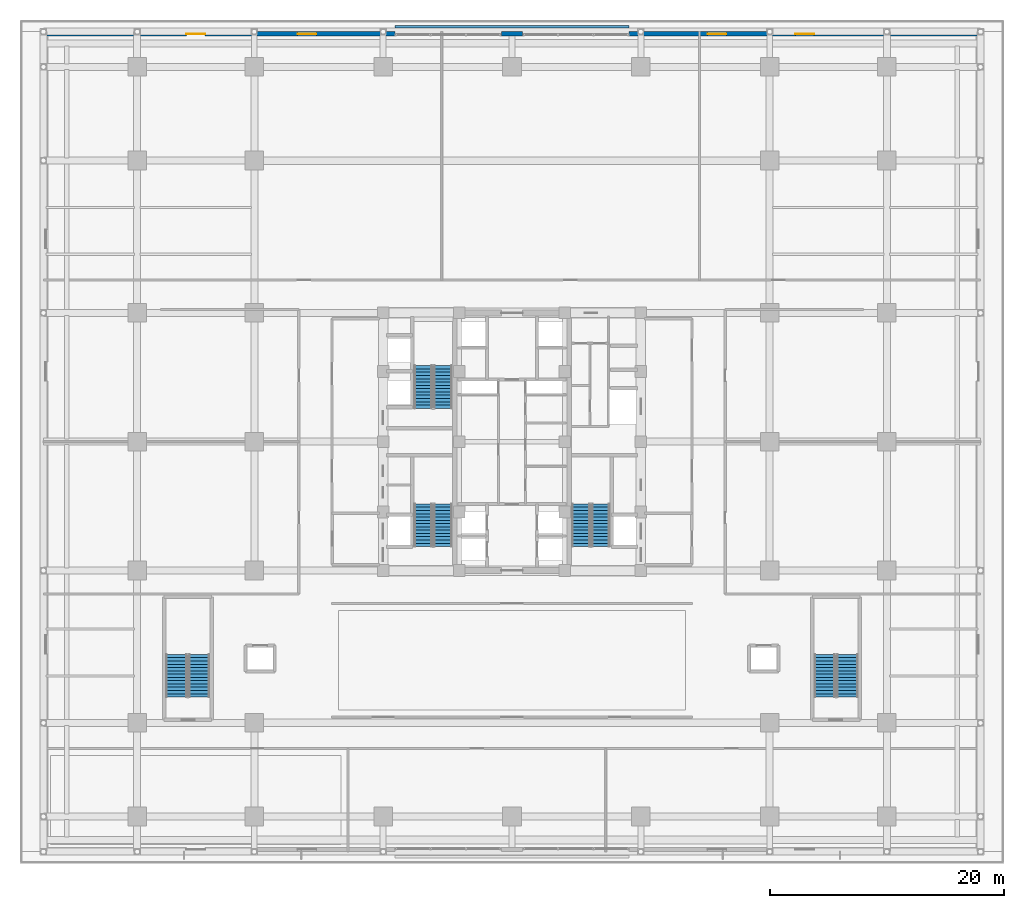
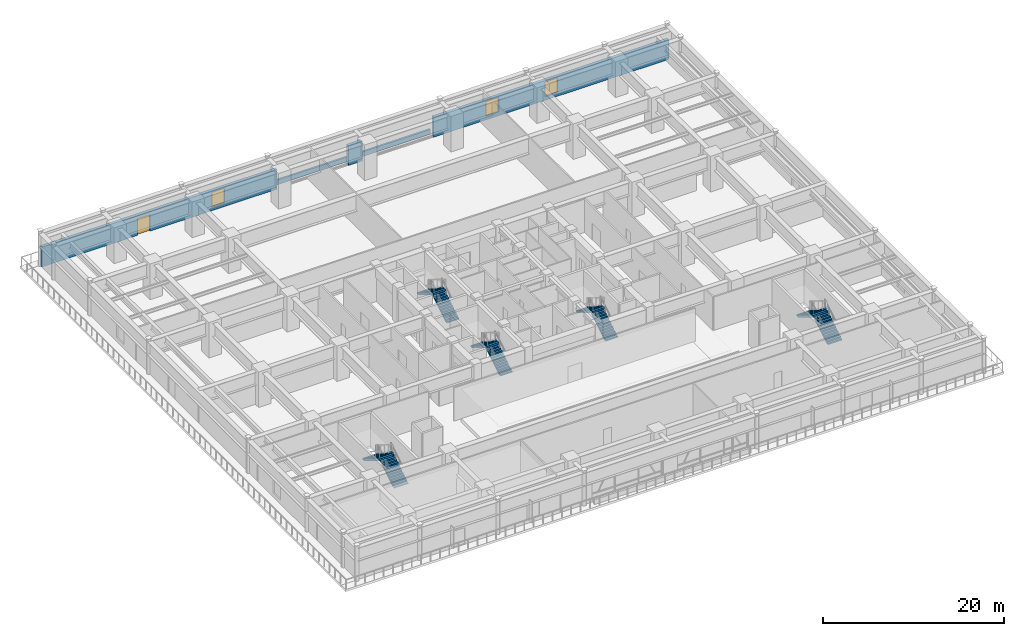
# One storey, part 31 of 38: 10 stair flights, 4 walls, 3 windows, 1 door, 4 openings, 5 elements without a shape of their own.
"""IFC4 building model written with IfcOpenShell, lengths in metres."""

from ifc_helpers import new_model, si_unit, direction, frame, frame_2d, origin, place, context, subcontext, project, spatial, polyline, rectangle, outline, extrude, source, transform, mapped, material, layer, layer_set, type_object, element, fill, aggregate, save


model = new_model("IFC4")

# Units and contexts
model_context = context("Model", 3, precision=1e-05, world=origin(), true_north=direction((0.0, 1.0)))
body_context = subcontext(model_context, "Body", "Model", "MODEL_VIEW")
ifc_project = project(units=[si_unit("LENGTHUNIT", "METRE"), si_unit("AREAUNIT", "SQUARE_METRE"), si_unit("VOLUMEUNIT", "CUBIC_METRE"), si_unit("PLANEANGLEUNIT", "RADIAN"), si_unit("MASSUNIT", "GRAM", prefix="KILO")], contexts=[model_context])

# Site, building, storey
site_placement = place(None, origin())
site = spatial("IfcSite", under=ifc_project, at=site_placement, CompositionType="ELEMENT")
building_placement = place(site_placement, origin())
building = spatial("IfcBuilding", under=site, at=building_placement, Name="Khorayat Bourse Tower", CompositionType="ELEMENT")
storey_placement = place(building_placement, frame((0.0, 0.0, 17.39990234375)))
storey = spatial("IfcBuildingStorey", under=building, at=storey_placement, Name="L03", CompositionType="ELEMENT", Elevation=17.39990234375)

# Wall, openings, door, window
ifc_material_1 = material(Name="Precast concrete C45/55", Category="concrete")
ifc_layer_1 = layer(ifc_material_1, 0.3798828125)
ifc_layer_set_1 = layer_set([ifc_layer_1], Name="Precast concrete C45/55")
wall_type_1 = type_object("IfcWallType", Name="WAL-EXT-STONE-380", PredefinedType="STANDARD", material=ifc_layer_set_1)
shared_shape_1 = source(origin(), body_context, "Body", "SweptSolid", [
    extrude(rectangle(XDim=30.0, YDim=0.3798828125, at=frame_2d((15.0, 0.0))), origin(), (0.0, 0.0, 1.0), 2.68017578125),
])
wall_1_placement = place(storey_placement, frame((-40.0, 34.81005859375, 0.0), z_axis=(0.0, 0.0, 1.0), x_axis=(1.0, 0.0, 0.0)))
wall_1 = element("IfcWall", 1, at=wall_1_placement, inside=storey, type_object=wall_type_1, Name="L03 Exterior Limestone Wall WAL-L03-EXT-NW", PredefinedType="STANDARD", context=body_context, shape_type="MappedRepresentation", body=[
    mapped(shared_shape_1, transform((0.0, 0.0, 0.0), scale=1.0)),
])
shared_shape_2 = source(origin(), body_context, "Body", "SweptSolid", [
    extrude(rectangle(XDim=1.60009765625, YDim=2.25, at=frame_2d((0.800048828125, 1.125))), frame((0.0, 0.199951171875, 0.0), z_axis=(0.0, -1.0, 0.0), x_axis=(1.0, 0.0, 0.0)), (0.0, 0.0, 1.0), 0.39990234375),
])
opening_1_placement = place(wall_1_placement, frame((12.199951171875, 0.0, 0.0)))
opening_1 = element("IfcOpeningElement", 2, at=opening_1_placement, cuts=wall_1, Name="Opening DE-04", PredefinedType="OPENING", context=body_context, shape_type="MappedRepresentation", body=[
    mapped(shared_shape_2, transform((0.0, 0.0, 0.0), scale=1.0)),
])
shared_shape_3 = source(origin(), body_context, "Body", "SweptSolid", [
    extrude(rectangle(XDim=1.60009765625, YDim=1.9599609375, at=frame_2d((0.800048828125, 0.97998046875))), frame((0.0, 0.199951171875, 0.0), z_axis=(0.0, -1.0, 0.0), x_axis=(1.0, 0.0, 0.0)), (0.0, 0.0, 1.0), 0.39990234375),
])
opening_2_placement = place(wall_1_placement, frame((21.699951171875, 0.0, 0.5)))
opening_2 = element("IfcOpeningElement", 3, at=opening_2_placement, cuts=wall_1, Name="Opening WN-02", PredefinedType="OPENING", context=body_context, shape_type="MappedRepresentation", body=[
    mapped(shared_shape_3, transform((0.0, 0.0, 0.0), scale=1.0)),
])
ifc_material_2 = material(Name="Thermally broken aluminium terrace double door", Category="aluminium")
door_type = type_object("IfcDoorType", Name="DR-EXT-TERR-1600", OperationType="NOTDEFINED", PredefinedType="DOOR", material=ifc_material_2)
shared_shape_4 = source(origin(), body_context, "Body", "SweptSolid", [
    extrude(rectangle(XDim=1.60009765625, YDim=2.25, at=frame_2d((0.800048828125, 1.125))), frame((0.0, 0.02490234375, 0.0), z_axis=(0.0, -1.0, 0.0), x_axis=(1.0, 0.0, 0.0)), (0.0, 0.0, 1.0), 0.050048828125),
])
door_placement = place(opening_1_placement, origin())
door = element("IfcDoor", 4, at=door_placement, inside=storey, type_object=door_type, Name="L03 North Garden Terrace Door", OperationType="DOUBLE_DOOR_SINGLE_SWING", OverallHeight=2.25, OverallWidth=1.60009765625, PredefinedType="DOOR", context=body_context, shape_type="MappedRepresentation", body=[
    mapped(shared_shape_4, transform((0.0, 0.0, 0.0), scale=1.0)),
])
fill(opening_1, door)
ifc_material_3 = material(Name="Low-E solar-control laminated double glazing", Category="glass")
window_type = type_object("IfcWindowType", Name="WIN-POD-1600x2200", PartitioningType="SINGLE_PANEL", PredefinedType="WINDOW", material=ifc_material_3)
shared_shape_5 = source(origin(), body_context, "Body", "SweptSolid", [
    extrude(rectangle(XDim=1.60009765625, YDim=1.9599609375, at=frame_2d((0.800048828125, 0.97998046875))), frame((0.0, 0.030029296875, 0.0), z_axis=(0.0, -1.0, 0.0), x_axis=(1.0, 0.0, 0.0)), (0.0, 0.0, 1.0), 0.06005859375),
])
window_1_placement = place(opening_2_placement, origin())
window_1 = element("IfcWindow", 5, at=window_1_placement, inside=storey, type_object=window_type, Name="L03 Facade Window 3", OverallHeight=1.9599609375, OverallWidth=1.60009765625, PartitioningType="SINGLE_PANEL", PredefinedType="WINDOW", context=body_context, shape_type="MappedRepresentation", body=[
    mapped(shared_shape_5, transform((0.0, 0.0, 0.0), scale=1.0)),
])
fill(opening_2, window_1)

# Wall, openings, windows
wall_2_placement = place(storey_placement, frame((10.0, 34.81005859375, 0.0), z_axis=(0.0, 0.0, 1.0), x_axis=(1.0, 0.0, 0.0)))
wall_2 = element("IfcWall", 6, at=wall_2_placement, inside=storey, type_object=wall_type_1, Name="L03 Exterior Limestone Wall WAL-L03-EXT-NE", PredefinedType="STANDARD", context=body_context, shape_type="MappedRepresentation", body=[
    mapped(shared_shape_1, transform((0.0, 0.0, 0.0), scale=1.0)),
])
opening_3_placement = place(wall_2_placement, frame((6.699951171875, 0.0, 0.5)))
opening_3 = element("IfcOpeningElement", 7, at=opening_3_placement, cuts=wall_2, Name="Opening WN-02", PredefinedType="OPENING", context=body_context, shape_type="MappedRepresentation", body=[
    mapped(shared_shape_3, transform((0.0, 0.0, 0.0), scale=1.0)),
])
opening_4_placement = place(wall_2_placement, frame((14.199951171875, 0.0, 0.5)))
opening_4 = element("IfcOpeningElement", 8, at=opening_4_placement, cuts=wall_2, Name="Opening WN-02", PredefinedType="OPENING", context=body_context, shape_type="MappedRepresentation", body=[
    mapped(shared_shape_3, transform((0.0, 0.0, 0.0), scale=1.0)),
])
window_2_placement = place(opening_3_placement, origin())
window_2 = element("IfcWindow", 9, at=window_2_placement, inside=storey, type_object=window_type, Name="L03 Facade Window 1", OverallHeight=1.9599609375, OverallWidth=1.60009765625, PartitioningType="SINGLE_PANEL", PredefinedType="WINDOW", context=body_context, shape_type="MappedRepresentation", body=[
    mapped(shared_shape_5, transform((0.0, 0.0, 0.0), scale=1.0)),
])
fill(opening_3, window_2)
window_3_placement = place(opening_4_placement, origin())
window_3 = element("IfcWindow", 10, at=window_3_placement, inside=storey, type_object=window_type, Name="L03 Facade Window 2", OverallHeight=1.9599609375, OverallWidth=1.60009765625, PartitioningType="SINGLE_PANEL", PredefinedType="WINDOW", context=body_context, shape_type="MappedRepresentation", body=[
    mapped(shared_shape_5, transform((0.0, 0.0, 0.0), scale=1.0)),
])
fill(opening_4, window_3)

# Walls
shared_shape_6 = source(origin(), body_context, "Body", "SweptSolid", [
    extrude(rectangle(XDim=1.7998046875, YDim=0.3798828125, at=frame_2d((0.89990234375, 0.0))), origin(), (0.0, 0.0, 1.0), 2.68017578125),
])
wall_3_placement = place(storey_placement, frame((-0.89990234375, 34.81005859375, 0.0), z_axis=(0.0, 0.0, 1.0), x_axis=(1.0, 0.0, 0.0)))
element("IfcWall", 11, at=wall_3_placement, inside=storey, type_object=wall_type_1, Name="L03 Exterior Limestone Wall WAL-L03-EXT-NM", PredefinedType="STANDARD", context=body_context, shape_type="MappedRepresentation", body=[
    mapped(shared_shape_6, transform((0.0, 0.0, 0.0), scale=1.0)),
])
ifc_layer_2 = layer(ifc_material_1, 0.239990234375)
ifc_layer_set_2 = layer_set([ifc_layer_2], Name="Precast concrete C45/55")
wall_type_2 = type_object("IfcWallType", Name="WAL-PLANTER-240", PredefinedType="STANDARD", material=ifc_layer_set_2)
shared_shape_7 = source(origin(), body_context, "Body", "SweptSolid", [
    extrude(rectangle(XDim=20.0, YDim=0.239990234375, at=frame_2d((10.0, 0.0))), origin(), (0.0, 0.0, 1.0), 0.650146484375),
])
wall_4_placement = place(storey_placement, frame((-10.0, 35.429931640625, 0.0), z_axis=(0.0, 0.0, 1.0), x_axis=(1.0, 0.0, 0.0)))
element("IfcWall", 12, at=wall_4_placement, inside=storey, type_object=wall_type_2, Name="L03 Planted Terrace Upstand PLN-N", PredefinedType="STANDARD", context=body_context, shape_type="MappedRepresentation", body=[
    mapped(shared_shape_7, transform((0.0, 0.0, 0.0), scale=1.0)),
])

# Stair, stair flights
ifc_material_4 = material(Name="Concrete C40/50", Category="concrete")
stair_type_1 = type_object("IfcStairType", Name="STR-CORE-1550", PredefinedType="HALF_TURN_STAIR", material=ifc_material_4)
stair_1_placement = place(storey_placement, origin())
stair_1 = element("IfcStair", 13, at=stair_1_placement, inside=storey, type_object=stair_type_1, Name="L03 Exit Stair ST-1", PredefinedType="HALF_TURN_STAIR")
stair_flight_type_1 = type_object("IfcStairFlightType", Name="FLT-CORE-1550", PredefinedType="STRAIGHT", material=ifc_material_4)
shared_shape_8 = source(origin(), body_context, "Body", "SweptSolid", [
    extrude(outline(polyline([(0.0, 0.0), (0.0, 0.17138671875), (0.280029296875, 0.17138671875), (0.280029296875, 0.3427734375), (0.56005859375, 0.3427734375), (0.56005859375, 0.514404296875), (0.840087890625, 0.514404296875), (0.840087890625, 0.685791015625), (1.1201171875, 0.685791015625), (1.1201171875, 0.857177734375), (1.39990234375, 0.857177734375), (1.39990234375, 1.028564453125), (1.679931640625, 1.028564453125), (1.679931640625, 1.199951171875), (1.9599609375, 1.199951171875), (1.9599609375, 1.371337890625), (2.239990234375, 1.371337890625), (2.239990234375, 1.54296875), (2.52001953125, 1.54296875), (2.52001953125, 1.71435546875), (2.800048828125, 1.71435546875), (2.800048828125, 1.8857421875), (3.080078125, 1.8857421875), (3.080078125, 2.05712890625), (3.360107421875, 2.05712890625), (3.360107421875, 2.228515625), (3.639892578125, 2.228515625), (3.639892578125, 2.39990234375), (3.639892578125, 2.017578125), (0.344482421875, 0.0), (0.0, 0.0)])), frame((0.0, 0.77490234375, 0.0), z_axis=(0.0, -1.0, 0.0), x_axis=(1.0, 0.0, 0.0)), (0.0, 0.0, 1.0), 1.550048828125),
])
stair_flight_1_placement = place(storey_placement, frame((-5.875, -8.949951171875, 0.0), z_axis=(0.0, 0.0, 1.0), x_axis=(0.0, 1.0, 0.0)))
stair_flight_1 = element("IfcStairFlight", 14, at=stair_flight_1_placement, type_object=stair_flight_type_1, Name="ST-1 flight 1", NumberOfRisers=14, NumberOfTreads=13, PredefinedType="STRAIGHT", RiserHeight=0.171428571, TreadLength=0.28, context=body_context, shape_type="MappedRepresentation", body=[
    mapped(shared_shape_8, transform((0.0, 0.0, 0.0), scale=1.0)),
])
stair_flight_2_placement = place(storey_placement, frame((-7.574951171875, -5.31005859375, 2.400146484375), z_axis=(0.0, 0.0, 1.0), x_axis=(0.0, -1.0, 0.0)))
stair_flight_2 = element("IfcStairFlight", 15, at=stair_flight_2_placement, type_object=stair_flight_type_1, Name="ST-1 flight 2", NumberOfRisers=14, NumberOfTreads=13, PredefinedType="STRAIGHT", RiserHeight=0.171428571, TreadLength=0.28, context=body_context, shape_type="MappedRepresentation", body=[
    mapped(shared_shape_8, transform((0.0, 0.0, 0.0), scale=1.0)),
])
aggregate(stair_1, [stair_flight_1, stair_flight_2])

stair_2_placement = place(storey_placement, origin())
stair_2 = element("IfcStair", 16, at=stair_2_placement, inside=storey, type_object=stair_type_1, Name="L03 Exit Stair ST-2", PredefinedType="HALF_TURN_STAIR")
stair_flight_3_placement = place(storey_placement, frame((-5.875, 2.85009765625, 0.0), z_axis=(0.0, 0.0, 1.0), x_axis=(0.0, 1.0, 0.0)))
stair_flight_3 = element("IfcStairFlight", 17, at=stair_flight_3_placement, type_object=stair_flight_type_1, Name="ST-2 flight 1", NumberOfRisers=14, NumberOfTreads=13, PredefinedType="STRAIGHT", RiserHeight=0.171428571, TreadLength=0.28, context=body_context, shape_type="MappedRepresentation", body=[
    mapped(shared_shape_8, transform((0.0, 0.0, 0.0), scale=1.0)),
])
stair_flight_4_placement = place(storey_placement, frame((-7.574951171875, 6.489990234375, 2.400146484375), z_axis=(0.0, 0.0, 1.0), x_axis=(0.0, -1.0, 0.0)))
stair_flight_4 = element("IfcStairFlight", 18, at=stair_flight_4_placement, type_object=stair_flight_type_1, Name="ST-2 flight 2", NumberOfRisers=14, NumberOfTreads=13, PredefinedType="STRAIGHT", RiserHeight=0.171428571, TreadLength=0.28, context=body_context, shape_type="MappedRepresentation", body=[
    mapped(shared_shape_8, transform((0.0, 0.0, 0.0), scale=1.0)),
])
aggregate(stair_2, [stair_flight_3, stair_flight_4])

stair_3_placement = place(storey_placement, origin())
stair_3 = element("IfcStair", 19, at=stair_3_placement, inside=storey, type_object=stair_type_1, Name="L03 Exit Stair ST-3", PredefinedType="HALF_TURN_STAIR")
stair_flight_5_placement = place(storey_placement, frame((7.574951171875, -8.949951171875, 0.0), z_axis=(0.0, 0.0, 1.0), x_axis=(0.0, 1.0, 0.0)))
stair_flight_5 = element("IfcStairFlight", 20, at=stair_flight_5_placement, type_object=stair_flight_type_1, Name="ST-3 flight 1", NumberOfRisers=14, NumberOfTreads=13, PredefinedType="STRAIGHT", RiserHeight=0.171428571, TreadLength=0.28, context=body_context, shape_type="MappedRepresentation", body=[
    mapped(shared_shape_8, transform((0.0, 0.0, 0.0), scale=1.0)),
])
stair_flight_6_placement = place(storey_placement, frame((5.875, -5.31005859375, 2.400146484375), z_axis=(0.0, 0.0, 1.0), x_axis=(0.0, -1.0, 0.0)))
stair_flight_6 = element("IfcStairFlight", 21, at=stair_flight_6_placement, type_object=stair_flight_type_1, Name="ST-3 flight 2", NumberOfRisers=14, NumberOfTreads=13, PredefinedType="STRAIGHT", RiserHeight=0.171428571, TreadLength=0.28, context=body_context, shape_type="MappedRepresentation", body=[
    mapped(shared_shape_8, transform((0.0, 0.0, 0.0), scale=1.0)),
])
aggregate(stair_3, [stair_flight_5, stair_flight_6])

stair_type_2 = type_object("IfcStairType", Name="STR-POD-1800", PredefinedType="HALF_TURN_STAIR", material=ifc_material_4)
stair_4_placement = place(storey_placement, origin())
stair_4 = element("IfcStair", 22, at=stair_4_placement, inside=storey, type_object=stair_type_2, Name="L03 Exit Stair ST-P1", PredefinedType="HALF_TURN_STAIR")
stair_flight_type_2 = type_object("IfcStairFlightType", Name="FLT-POD-1800", PredefinedType="STRAIGHT", material=ifc_material_4)
shared_shape_9 = source(origin(), body_context, "Body", "SweptSolid", [
    extrude(outline(polyline([(0.0, 0.0), (0.0, 0.17138671875), (0.280029296875, 0.17138671875), (0.280029296875, 0.3427734375), (0.56005859375, 0.3427734375), (0.56005859375, 0.514404296875), (0.840087890625, 0.514404296875), (0.840087890625, 0.685791015625), (1.1201171875, 0.685791015625), (1.1201171875, 0.857177734375), (1.39990234375, 0.857177734375), (1.39990234375, 1.028564453125), (1.679931640625, 1.028564453125), (1.679931640625, 1.199951171875), (1.9599609375, 1.199951171875), (1.9599609375, 1.371337890625), (2.239990234375, 1.371337890625), (2.239990234375, 1.54296875), (2.52001953125, 1.54296875), (2.52001953125, 1.71435546875), (2.800048828125, 1.71435546875), (2.800048828125, 1.8857421875), (3.080078125, 1.8857421875), (3.080078125, 2.05712890625), (3.360107421875, 2.05712890625), (3.360107421875, 2.228515625), (3.639892578125, 2.228515625), (3.639892578125, 2.39990234375), (3.639892578125, 1.994140625), (0.383056640625, 0.0), (0.0, 0.0)])), frame((0.0, 0.89990234375, 0.0), z_axis=(0.0, -1.0, 0.0), x_axis=(1.0, 0.0, 0.0)), (0.0, 0.0, 1.0), 1.800048828125),
])
stair_flight_7_placement = place(storey_placement, frame((-26.699951171875, -21.800048828125, 0.0), z_axis=(0.0, 0.0, 1.0), x_axis=(0.0, 1.0, 0.0)))
stair_flight_7 = element("IfcStairFlight", 23, at=stair_flight_7_placement, type_object=stair_flight_type_2, Name="ST-P1 flight 1", NumberOfRisers=14, NumberOfTreads=13, PredefinedType="STRAIGHT", RiserHeight=0.171428571, TreadLength=0.28, context=body_context, shape_type="MappedRepresentation", body=[
    mapped(shared_shape_9, transform((0.0, 0.0, 0.0), scale=1.0)),
])
stair_flight_8_placement = place(storey_placement, frame((-28.64990234375, -18.159912109375, 2.400146484375), z_axis=(0.0, 0.0, 1.0), x_axis=(0.0, -1.0, 0.0)))
stair_flight_8 = element("IfcStairFlight", 24, at=stair_flight_8_placement, type_object=stair_flight_type_2, Name="ST-P1 flight 2", NumberOfRisers=14, NumberOfTreads=13, PredefinedType="STRAIGHT", RiserHeight=0.171428571, TreadLength=0.28, context=body_context, shape_type="MappedRepresentation", body=[
    mapped(shared_shape_9, transform((0.0, 0.0, 0.0), scale=1.0)),
])
aggregate(stair_4, [stair_flight_7, stair_flight_8])

stair_5_placement = place(storey_placement, origin())
stair_5 = element("IfcStair", 25, at=stair_5_placement, inside=storey, type_object=stair_type_2, Name="L03 Exit Stair ST-P2", PredefinedType="HALF_TURN_STAIR")
stair_flight_9_placement = place(storey_placement, frame((28.64990234375, -21.800048828125, 0.0), z_axis=(0.0, 0.0, 1.0), x_axis=(0.0, 1.0, 0.0)))
stair_flight_9 = element("IfcStairFlight", 26, at=stair_flight_9_placement, type_object=stair_flight_type_2, Name="ST-P2 flight 1", NumberOfRisers=14, NumberOfTreads=13, PredefinedType="STRAIGHT", RiserHeight=0.171428571, TreadLength=0.28, context=body_context, shape_type="MappedRepresentation", body=[
    mapped(shared_shape_9, transform((0.0, 0.0, 0.0), scale=1.0)),
])
stair_flight_10_placement = place(storey_placement, frame((26.699951171875, -18.159912109375, 2.400146484375), z_axis=(0.0, 0.0, 1.0), x_axis=(0.0, -1.0, 0.0)))
stair_flight_10 = element("IfcStairFlight", 27, at=stair_flight_10_placement, type_object=stair_flight_type_2, Name="ST-P2 flight 2", NumberOfRisers=14, NumberOfTreads=13, PredefinedType="STRAIGHT", RiserHeight=0.171428571, TreadLength=0.28, context=body_context, shape_type="MappedRepresentation", body=[
    mapped(shared_shape_9, transform((0.0, 0.0, 0.0), scale=1.0)),
])
aggregate(stair_5, [stair_flight_9, stair_flight_10])

save(model, "model.ifc")
